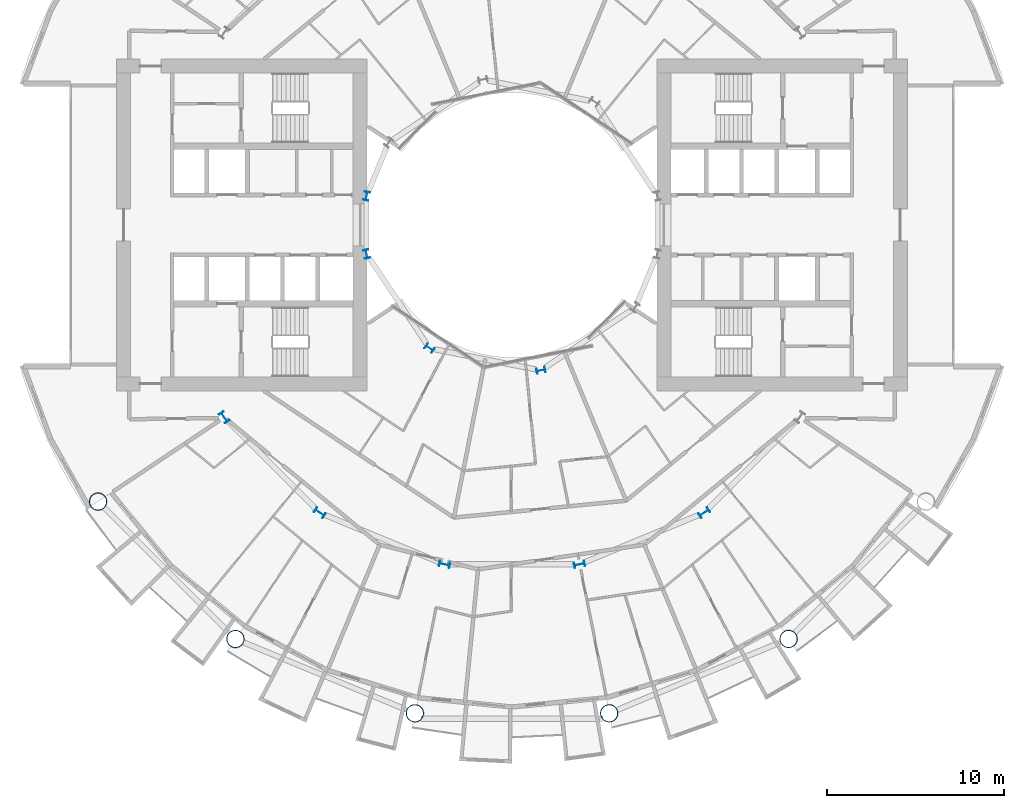
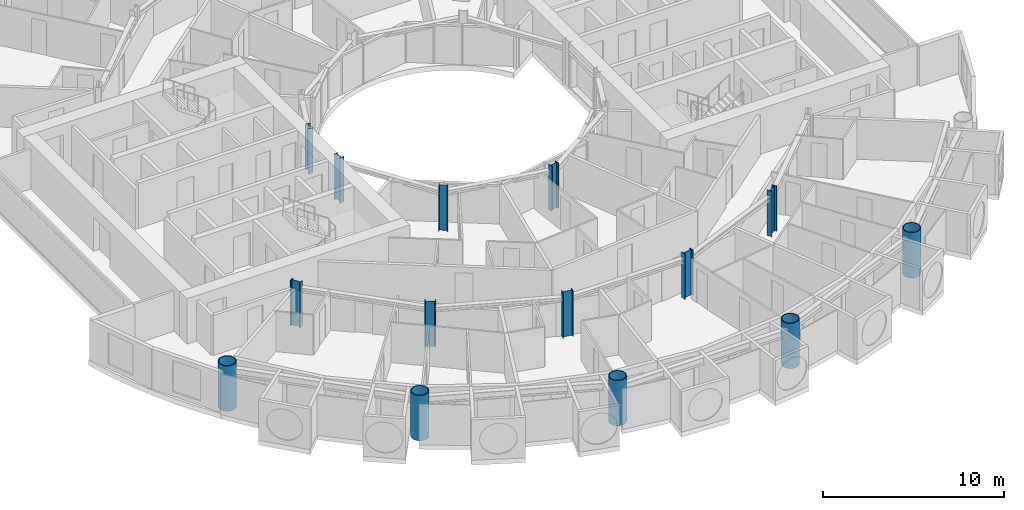
# One storey, part 1 of 26: 14 columns.
"""IFC4 building model written with IfcOpenShell, lengths in metres."""

from ifc_helpers import new_model, si_unit, direction, frame, origin, origin_2d, place, context, subcontext, project, spatial, hollow_circle, i_section, extrude, material, material_profile, profile_set, type_object, element, save


model = new_model("IFC4")

# Units and contexts
model_context = context("Model", 3, precision=1e-05, world=origin(), true_north=direction((0.0, 1.0)))
body_context = subcontext(model_context, "Body", "Model", "MODEL_VIEW")
ifc_project = project(units=[si_unit("LENGTHUNIT", "METRE"), si_unit("AREAUNIT", "SQUARE_METRE"), si_unit("VOLUMEUNIT", "CUBIC_METRE"), si_unit("PLANEANGLEUNIT", "RADIAN"), si_unit("MASSUNIT", "GRAM", prefix="KILO")], contexts=[model_context])

# Site, building, storey
site_placement = place(None, origin())
site = spatial("IfcSite", under=ifc_project, at=site_placement, CompositionType="ELEMENT")
building_placement = place(site_placement, origin())
building = spatial("IfcBuilding", under=site, at=building_placement, Name="Maasbend Ring Residences", CompositionType="ELEMENT")
storey_placement = place(building_placement, frame((0.0, 0.0, 35.0)))
storey = spatial("IfcBuildingStorey", under=building, at=storey_placement, Name="L09", CompositionType="ELEMENT", Elevation=35.0)

# Columns
ifc_material_1 = material(Name="Composite concrete-filled steel tube S460NH / C80/95", Category="concrete")
ifc_material_profile_1 = material_profile(ifc_material_1, hollow_circle(Radius=0.508056640625, WallThickness=0.050048828125, at=origin_2d()), Name="Composite tube column CHS 1016x50")
ifc_profile_set_1 = profile_set([ifc_material_profile_1], Name="Composite concrete-filled steel tube S460NH / C80/95")
column_type_1 = type_object("IfcColumnType", Name="Composite tube column CHS 1016x50", PredefinedType="COLUMN", material=ifc_profile_set_1)
for number, where, z_axis, x_axis, name in (
    (1, (-23.447509765625, -15.6669921875, 0.0), (0.0, 0.0, 1.0), (1.0, 0.0, 0.0), "Outer column R10"),
    (2, (-15.6669921875, -23.447509765625, 0.0), (0.0, 0.0, 1.0), (1.0, 0.0, 0.0), "Outer column R11"),
    (3, (-5.50146484375, -27.658203125, 0.0), (0.0, 0.0, 1.0), (1.0, 0.0, 0.0), "Outer column R12"),
    (4, (5.50146484375, -27.658203125, 0.0), (0.0, 0.0, 1.0), (1.0, 0.0, 0.0), "Outer column R13"),
    (5, (15.6669921875, -23.447509765625, 0.0), (0.0, 0.0, 1.0), (1.0, 0.0, 0.0), "Outer column R14"),
):
    element("IfcColumn", number, at=place(storey_placement, frame(where, z_axis=z_axis, x_axis=x_axis)), inside=storey, type_object=column_type_1, Name=name, PredefinedType="COLUMN", context=body_context, shape_type="SweptSolid", body=[
        extrude(hollow_circle(Radius=0.508056640625, WallThickness=0.050048828125, at=origin_2d()), origin(), (0.0, 0.0, 1.0), 3.050048828125),
    ])
ifc_material_2 = material(Name="Steel S355J2", Category="steel")
ifc_material_profile_2 = material_profile(ifc_material_2, i_section(OverallWidth=0.300048828125, OverallDepth=0.5, WebThickness=0.014404296875, FlangeThickness=0.028076171875, FilletRadius=0.027099609375, at=origin_2d()), Name="HEB 500")
ifc_profile_set_2 = profile_set([ifc_material_profile_2], Name="Steel S355J2")
column_type_2 = type_object("IfcColumnType", Name="Steel column HEB 500", PredefinedType="COLUMN", material=ifc_profile_set_2)
for number, where, z_axis, x_axis, name in (
    (6, (-8.238525390625, 1.638916015625, 0.0), (0.0, 0.0, 1.0), (-0.980785280403, 0.195090322016, 0.0), "Well ring column R8"),
    (7, (-8.238525390625, -1.638916015625, 0.0), (0.0, 0.0, 1.0), (-0.980785280403, -0.195090322016, 0.0), "Well ring column R9"),
    (8, (-4.666748046875, -6.984375, 0.0), (0.0, 0.0, 1.0), (-0.55557023302, -0.831469612303, 0.0), "Well ring column R11"),
    (9, (1.638916015625, -8.238525390625, 0.0), (0.0, 0.0, 1.0), (0.195090322016, -0.980785280403, 0.0), "Well ring column R13"),
):
    element("IfcColumn", number, at=place(storey_placement, frame(where, z_axis=z_axis, x_axis=x_axis)), inside=storey, type_object=column_type_2, Name=name, PredefinedType="COLUMN", context=body_context, shape_type="SweptSolid", body=[
        extrude(i_section(OverallWidth=0.300048828125, OverallDepth=0.5, WebThickness=0.014404296875, FlangeThickness=0.028076171875, FilletRadius=0.027099609375, at=origin_2d()), origin(), (0.0, 0.0, 1.0), 3.050048828125),
    ])
ifc_material_3 = material(Name="Steel S460M", Category="steel")
ifc_material_profile_3 = material_profile(ifc_material_3, i_section(OverallWidth=0.304931640625, OverallDepth=0.6201171875, WebThickness=0.02099609375, FlangeThickness=0.0400390625, FilletRadius=0.027099609375, at=origin_2d()), Name="HEM 600")
ifc_profile_set_3 = profile_set([ifc_material_profile_3], Name="Steel S460M")
column_type_3 = type_object("IfcColumnType", Name="Steel column HEM 600", PredefinedType="COLUMN", material=ifc_profile_set_3)
for number, where, z_axis, x_axis, name in (
    (10, (-16.296875, -10.88916015625, 0.0), (0.0, 0.0, 1.0), (-0.831469612303, -0.55557023302, 0.0), "Corridor ring column R10"),
    (11, (-10.88916015625, -16.296875, 0.0), (0.0, 0.0, 1.0), (-0.55557023302, -0.831469612303, 0.0), "Corridor ring column R11"),
    (12, (-3.82373046875, -19.223388671875, 0.0), (0.0, 0.0, 1.0), (-0.195090322016, -0.980785280403, 0.0), "Corridor ring column R12"),
    (13, (3.82373046875, -19.223388671875, 0.0), (0.0, 0.0, 1.0), (0.195090322016, -0.980785280403, 0.0), "Corridor ring column R13"),
    (14, (10.88916015625, -16.296875, 0.0), (0.0, 0.0, 1.0), (0.55557023302, -0.831469612303, 0.0), "Corridor ring column R14"),
):
    element("IfcColumn", number, at=place(storey_placement, frame(where, z_axis=z_axis, x_axis=x_axis)), inside=storey, type_object=column_type_3, Name=name, PredefinedType="COLUMN", context=body_context, shape_type="SweptSolid", body=[
        extrude(i_section(OverallWidth=0.304931640625, OverallDepth=0.6201171875, WebThickness=0.02099609375, FlangeThickness=0.0400390625, FilletRadius=0.027099609375, at=origin_2d()), origin(), (0.0, 0.0, 1.0), 3.050048828125),
    ])

save(model, "model.ifc")
